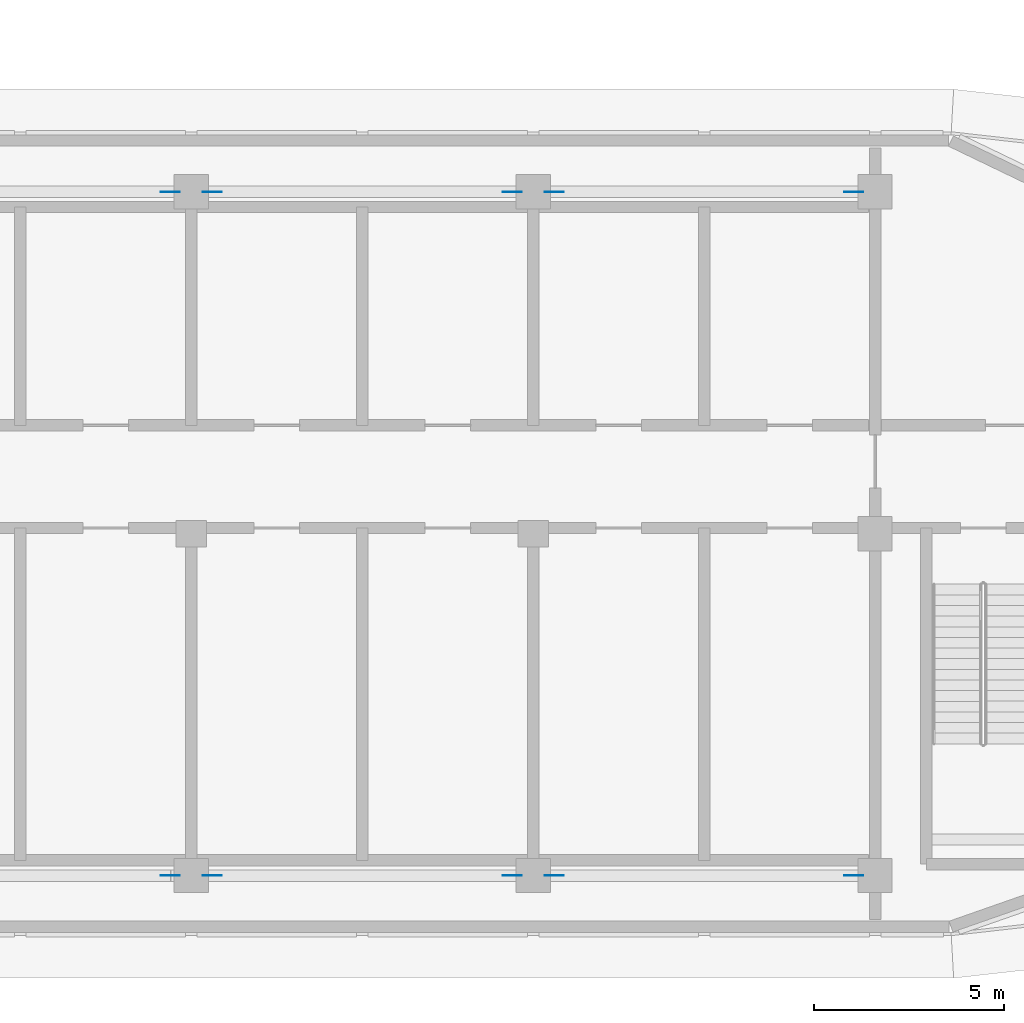
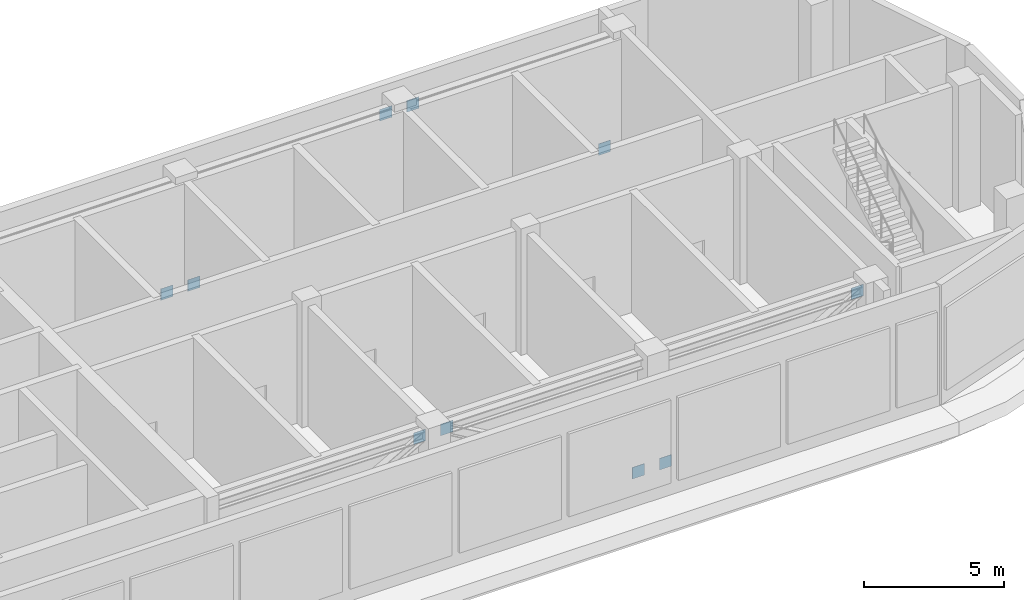
# One storey, part 8 of 14: 10 discrete accessories.
"""IFC4 building model written with IfcOpenShell, lengths in metres."""

from ifc_helpers import new_model, si_unit, direction, frame, origin, origin_2d, place, context, subcontext, project, spatial, rectangle, extrude, material, layer, layer_set, type_object, element, save


model = new_model("IFC4")

# Units and contexts
model_context = context("Model", 3, precision=1e-05, world=origin(), true_north=direction((0.0, 1.0)))
body_context = subcontext(model_context, "Body", "Model", "MODEL_VIEW")
ifc_project = project(units=[si_unit("LENGTHUNIT", "METRE"), si_unit("AREAUNIT", "SQUARE_METRE"), si_unit("VOLUMEUNIT", "CUBIC_METRE"), si_unit("PLANEANGLEUNIT", "RADIAN"), si_unit("MASSUNIT", "GRAM", prefix="KILO")], contexts=[model_context])

# Site, building, storey
site_placement = place(None, origin())
site = spatial("IfcSite", under=ifc_project, at=site_placement, CompositionType="ELEMENT")
building_placement = place(site_placement, origin())
building = spatial("IfcBuilding", under=site, at=building_placement, Name="Ogive Portal Towers", CompositionType="ELEMENT")
storey_placement = place(building_placement, frame((0.0, 0.0, 243.89990234375)))
storey = spatial("IfcBuildingStorey", under=building, at=storey_placement, Name="L61", CompositionType="ELEMENT", Elevation=243.89990234375)

# Discrete accessories
ifc_material = material(Name="Steel S355", Category="steel")
ifc_layer = layer(ifc_material, 0.01611328125)
ifc_layer_set = layer_set([ifc_layer], Name="GUSSET PLATE 500x500x16")
discrete_accessory_type = type_object("IfcDiscreteAccessoryType", Name="GUSSET PLATE 500x500x16", PredefinedType="BRACKET", material=ifc_layer_set)
for number, where, z_axis, x_axis, name in (
    (1, (66.94091796875, 21.5, 4.6728515625), (0.0, 0.0, 1.0), (1.0, 0.0, 0.0), "Gusset plate"),
    (2, (68.0576171875, 21.5, 4.670654296875), (0.0, 0.0, 1.0), (1.0, 0.0, 0.0), "Gusset plate"),
    (3, (75.9423828125, 21.5, 0.029541015625), (0.0, 0.0, 1.0), (1.0, 0.0, 0.0), "Gusset plate"),
    (4, (77.0576171875, 21.5, 0.029541015625), (0.0, 0.0, 1.0), (1.0, 0.0, 0.0), "Gusset plate"),
    (5, (84.9423828125, 21.5, 4.670654296875), (0.0, 0.0, 1.0), (1.0, 0.0, 0.0), "Gusset plate"),
    (6, (84.9423828125, 39.5, 0.029541015625), (0.0, 0.0, 1.0), (-1.0, 0.0, 0.0), "Gusset plate"),
    (7, (77.0576171875, 39.5, 4.670654296875), (0.0, 0.0, 1.0), (-1.0, 0.0, 0.0), "Gusset plate"),
    (8, (75.9423828125, 39.5, 4.670654296875), (0.0, 0.0, 1.0), (-1.0, 0.0, 0.0), "Gusset plate"),
    (9, (68.0576171875, 39.5, 0.029541015625), (0.0, 0.0, 1.0), (-1.0, 0.0, 0.0), "Gusset plate"),
    (10, (66.94091796875, 39.5, 0.02734375), (0.0, 0.0, 1.0), (-1.0, 0.0, 0.0), "Gusset plate"),
):
    element("IfcDiscreteAccessory", number, at=place(storey_placement, frame(where, z_axis=z_axis, x_axis=x_axis)), inside=storey, type_object=discrete_accessory_type, Name=name, PredefinedType="BRACKET", context=body_context, shape_type="SweptSolid", body=[
        extrude(rectangle(XDim=0.5, YDim=0.01611328125, at=origin_2d()), origin(), (0.0, 0.0, 1.0), 0.5),
    ])

save(model, "model.ifc")
